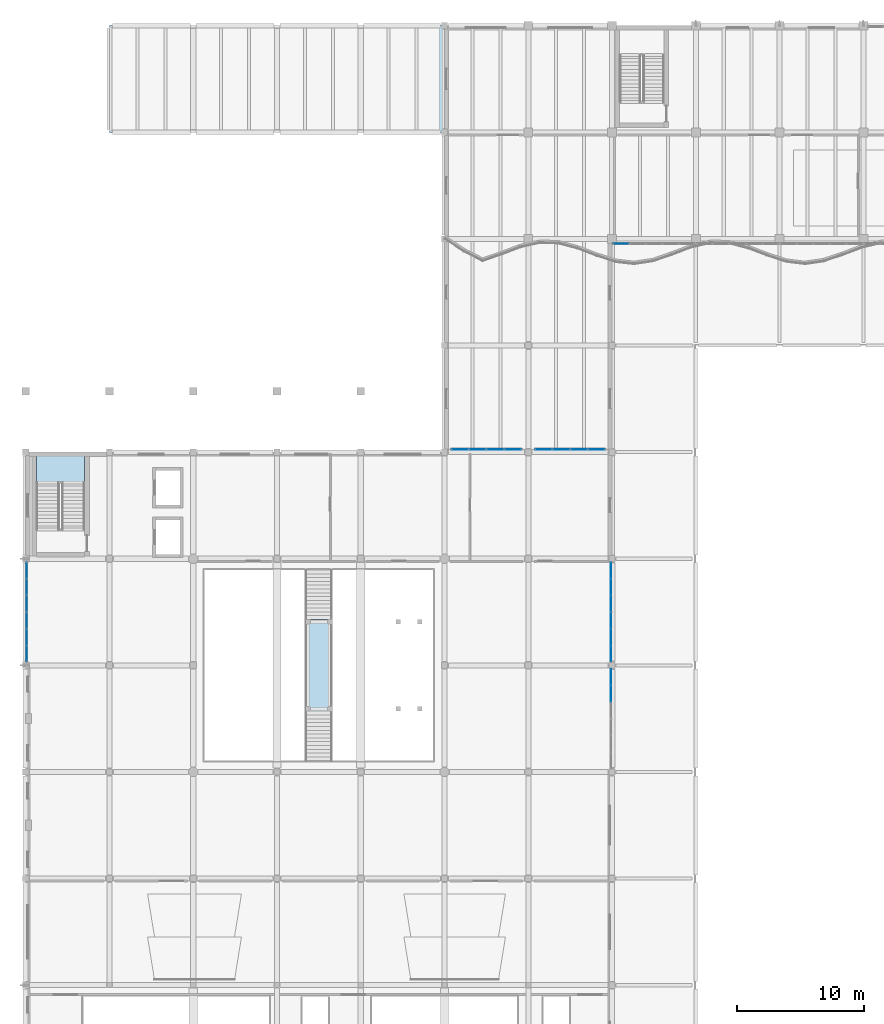
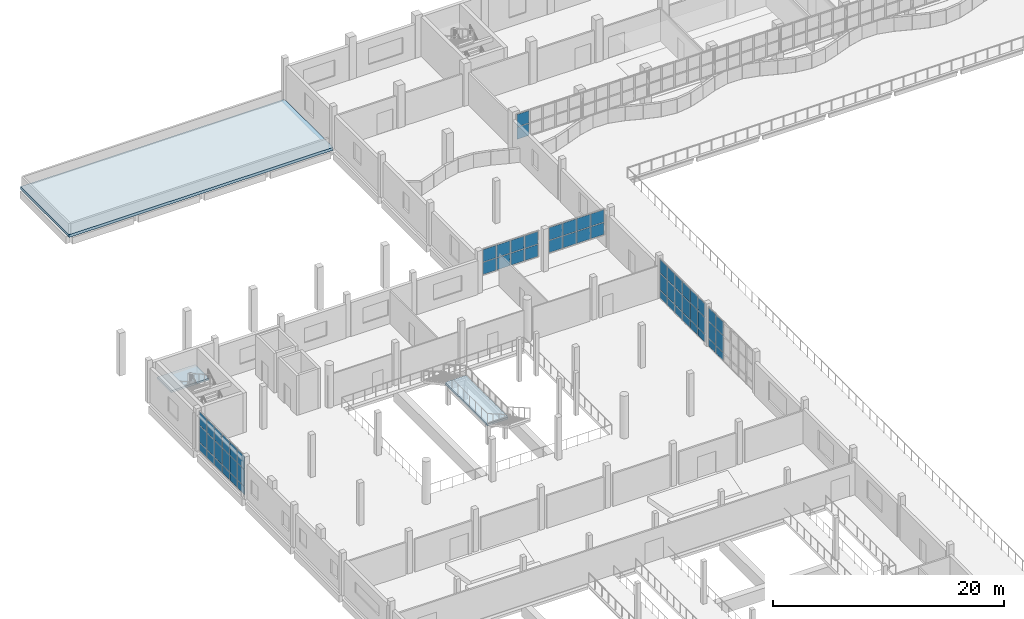
# One storey, part 37 of 83: 60 plates, 3 slabs, 8 elements without a shape of their own.
"""IFC4 building model written with IfcOpenShell, lengths in metres."""

from ifc_helpers import new_model, si_unit, direction, frame, origin, origin_2d, place, context, subcontext, project, spatial, polyline, rectangle, outline, extrude, material, layer, layer_set, type_object, element, aggregate, save


model = new_model("IFC4")

# Units and contexts
model_context = context("Model", 3, precision=1e-05, world=origin(), true_north=direction((0.0, 1.0)))
body_context = subcontext(model_context, "Body", "Model", "MODEL_VIEW")
ifc_project = project(units=[si_unit("LENGTHUNIT", "METRE"), si_unit("AREAUNIT", "SQUARE_METRE"), si_unit("VOLUMEUNIT", "CUBIC_METRE"), si_unit("PLANEANGLEUNIT", "RADIAN"), si_unit("MASSUNIT", "GRAM", prefix="KILO")], contexts=[model_context])

# Site, building, storey
site_placement = place(None, origin())
site = spatial("IfcSite", under=ifc_project, at=site_placement, CompositionType="ELEMENT")
building_placement = place(site_placement, origin())
building = spatial("IfcBuilding", under=site, at=building_placement, Name="Qaldarim Faculty of Natural and Applied Sciences", CompositionType="ELEMENT")
storey_placement = place(building_placement, frame((0.0, 0.0, 5.39990234375)))
storey = spatial("IfcBuildingStorey", under=building, at=storey_placement, Name="L01", CompositionType="ELEMENT", Elevation=5.39990234375)

# Slab
ifc_material_1 = material(Name="Concrete C40/50", Category="concrete")
ifc_layer_1 = layer(ifc_material_1, 0.300048828125)
ifc_layer_set_1 = layer_set([ifc_layer_1], Name="Concrete C40/50")
slab_type_1 = type_object("IfcSlabType", Name="FlatAnnexRoofSlab-300", PredefinedType="ROOF", material=ifc_layer_set_1)
slab_1_placement = place(storey_placement, frame((0.0, 0.0, -0.2998046875)))
element("IfcSlab", 1, at=slab_1_placement, inside=storey, type_object=slab_type_1, Name="Car park ramp annex structural roof slab L01", PredefinedType="ROOF", context=body_context, shape_type="SweptSolid", body=[
    extrude(outline(polyline([(6.60009765625, 109.199951171875), (32.97998046875, 109.199951171875), (32.97998046875, 117.60009765625), (6.60009765625, 117.60009765625), (6.60009765625, 109.199951171875)])), origin(), (0.0, 0.0, 1.0), 0.2998046875),
])

# Stair, slab
stair_type_1 = type_object("IfcStairType", Name="DoglegStair-W1800-H4500-28R", PredefinedType="HALF_TURN_STAIR", material=ifc_material_1)
stair_1_placement = place(storey_placement, origin())
stair_1 = element("IfcStair", 2, at=stair_1_placement, inside=storey, type_object=stair_type_1, Name="Enclosed exit stair ST-D2 L01", PredefinedType="HALF_TURN_STAIR")
ifc_layer_2 = layer(ifc_material_1, 0.2099609375)
ifc_layer_set_2 = layer_set([ifc_layer_2], Name="Concrete C40/50")
slab_type_2 = type_object("IfcSlabType", Name="StairLandingSlab-210", PredefinedType="LANDING", material=ifc_layer_set_2)
slab_2_placement = place(storey_placement, frame((0.0, 0.0, 2.0400390625)))
slab_2 = element("IfcSlab", 3, at=slab_2_placement, type_object=slab_type_2, Name="ST-D2 L01 half-landing 1", PredefinedType="LANDING", context=body_context, shape_type="SweptSolid", body=[
    extrude(outline(polyline([(4.64990234375, 81.590087890625), (4.64990234375, 84.0), (0.85009765625, 84.0), (0.85009765625, 81.590087890625), (4.64990234375, 81.590087890625)])), origin(), (0.0, 0.0, 1.0), 0.2099609375),
])
aggregate(stair_1, [slab_2])

stair_type_2 = type_object("IfcStairType", Name="FeatureStraightStair-W2100-H4500", PredefinedType="STRAIGHT_RUN_STAIR", material=ifc_material_1)
stair_2_placement = place(storey_placement, origin())
stair_2 = element("IfcStair", 4, at=stair_2_placement, inside=storey, type_object=stair_type_2, Name="Atrium monumental stair L01", PredefinedType="STRAIGHT_RUN_STAIR")
slab_3_placement = place(storey_placement, frame((0.0, 0.0, 2.0400390625)))
slab_3 = element("IfcSlab", 5, at=slab_3_placement, type_object=slab_type_2, Name="Atrium monumental stair L01 intermediate landing", PredefinedType="LANDING", context=body_context, shape_type="SweptSolid", body=[
    extrude(outline(polyline([(22.050048828125, 63.570068359375), (24.14990234375, 63.570068359375), (24.14990234375, 70.830078125), (22.050048828125, 70.830078125), (22.050048828125, 63.570068359375)])), origin(), (0.0, 0.0, 1.0), 0.2099609375),
])
aggregate(stair_2, [slab_3])

# Curtain wall, plates
ifc_material_2 = material(Name="Anodised aluminium AW-6063", Category="aluminium")
curtain_wall_type_1 = type_object("IfcCurtainWallType", Name="CurtainWallSystem-M1300", PredefinedType="USERDEFINED", material=ifc_material_2)
curtain_wall_1_placement = place(storey_placement, origin())
curtain_wall_1 = element("IfcCurtainWall", 6, at=curtain_wall_1_placement, inside=storey, type_object=curtain_wall_type_1, Name="Curtain wall CW-L01-W-X01Y09", ObjectType="STICK CURTAIN WALL", PredefinedType="USERDEFINED")
ifc_material_3 = material(Name="Insulated low-e double glazing", Category="glass")
ifc_layer_3 = layer(ifc_material_3, 0.028076171875)
ifc_layer_set_3 = layer_set([ifc_layer_3], Name="Insulated low-e double glazing")
plate_type = type_object("IfcPlateType", Name="VisionGlazingPanel-28", PredefinedType="CURTAIN_PANEL", material=ifc_layer_set_3)
plate_1_placement = place(storey_placement, frame((0.080078125, 74.680908203125, 0.06005859375), z_axis=(0.0, 0.0, 1.0), x_axis=(0.0, -1.0, 0.0)))
plate_1 = element("IfcPlate", 7, at=plate_1_placement, type_object=plate_type, Name="Glazed panel 1-1 of CW-L01-W-X01Y09", PredefinedType="CURTAIN_PANEL", context=body_context, shape_type="SweptSolid", body=[
    extrude(rectangle(XDim=1.228271484375, YDim=0.028076171875, at=origin_2d()), origin(), (0.0, 0.0, 1.0), 0.81005859375),
])
plate_2_placement = place(storey_placement, frame((0.080078125, 74.680908203125, 0.93017578125), z_axis=(0.0, 0.0, 1.0), x_axis=(0.0, -1.0, 0.0)))
plate_2 = element("IfcPlate", 8, at=plate_2_placement, type_object=plate_type, Name="Glazed panel 1-2 of CW-L01-W-X01Y09", PredefinedType="CURTAIN_PANEL", context=body_context, shape_type="SweptSolid", body=[
    extrude(rectangle(XDim=1.228271484375, YDim=0.028076171875, at=origin_2d()), origin(), (0.0, 0.0, 1.0), 1.739990234375),
])
plate_3_placement = place(storey_placement, frame((0.080078125, 74.680908203125, 2.72998046875), z_axis=(0.0, 0.0, 1.0), x_axis=(0.0, -1.0, 0.0)))
plate_3 = element("IfcPlate", 9, at=plate_3_placement, type_object=plate_type, Name="Glazed panel 1-3 of CW-L01-W-X01Y09", PredefinedType="CURTAIN_PANEL", context=body_context, shape_type="SweptSolid", body=[
    extrude(rectangle(XDim=1.228271484375, YDim=0.028076171875, at=origin_2d()), origin(), (0.0, 0.0, 1.0), 1.409912109375),
])
plate_4_placement = place(storey_placement, frame((0.080078125, 73.37744140625, 0.06005859375), z_axis=(0.0, 0.0, 1.0), x_axis=(0.0, -1.0, 0.0)))
plate_4 = element("IfcPlate", 10, at=plate_4_placement, type_object=plate_type, Name="Glazed panel 2-1 of CW-L01-W-X01Y09", PredefinedType="CURTAIN_PANEL", context=body_context, shape_type="SweptSolid", body=[
    extrude(rectangle(XDim=1.25830078125, YDim=0.028076171875, at=origin_2d()), origin(), (0.0, 0.0, 1.0), 0.81005859375),
])
plate_5_placement = place(storey_placement, frame((0.080078125, 73.37744140625, 0.93017578125), z_axis=(0.0, 0.0, 1.0), x_axis=(0.0, -1.0, 0.0)))
plate_5 = element("IfcPlate", 11, at=plate_5_placement, type_object=plate_type, Name="Glazed panel 2-2 of CW-L01-W-X01Y09", PredefinedType="CURTAIN_PANEL", context=body_context, shape_type="SweptSolid", body=[
    extrude(rectangle(XDim=1.25830078125, YDim=0.028076171875, at=origin_2d()), origin(), (0.0, 0.0, 1.0), 1.739990234375),
])
plate_6_placement = place(storey_placement, frame((0.080078125, 73.37744140625, 2.72998046875), z_axis=(0.0, 0.0, 1.0), x_axis=(0.0, -1.0, 0.0)))
plate_6 = element("IfcPlate", 12, at=plate_6_placement, type_object=plate_type, Name="Glazed panel 2-3 of CW-L01-W-X01Y09", PredefinedType="CURTAIN_PANEL", context=body_context, shape_type="SweptSolid", body=[
    extrude(rectangle(XDim=1.25830078125, YDim=0.028076171875, at=origin_2d()), origin(), (0.0, 0.0, 1.0), 1.409912109375),
])
plate_7_placement = place(storey_placement, frame((0.080078125, 72.05908203125, 0.06005859375), z_axis=(0.0, 0.0, 1.0), x_axis=(0.0, -1.0, 0.0)))
plate_7 = element("IfcPlate", 13, at=plate_7_placement, type_object=plate_type, Name="Glazed panel 3-1 of CW-L01-W-X01Y09", PredefinedType="CURTAIN_PANEL", context=body_context, shape_type="SweptSolid", body=[
    extrude(rectangle(XDim=1.25830078125, YDim=0.028076171875, at=origin_2d()), origin(), (0.0, 0.0, 1.0), 0.81005859375),
])
plate_8_placement = place(storey_placement, frame((0.080078125, 72.05908203125, 0.93017578125), z_axis=(0.0, 0.0, 1.0), x_axis=(0.0, -1.0, 0.0)))
plate_8 = element("IfcPlate", 14, at=plate_8_placement, type_object=plate_type, Name="Glazed panel 3-2 of CW-L01-W-X01Y09", PredefinedType="CURTAIN_PANEL", context=body_context, shape_type="SweptSolid", body=[
    extrude(rectangle(XDim=1.25830078125, YDim=0.028076171875, at=origin_2d()), origin(), (0.0, 0.0, 1.0), 1.739990234375),
])
plate_9_placement = place(storey_placement, frame((0.080078125, 72.05908203125, 2.72998046875), z_axis=(0.0, 0.0, 1.0), x_axis=(0.0, -1.0, 0.0)))
plate_9 = element("IfcPlate", 15, at=plate_9_placement, type_object=plate_type, Name="Glazed panel 3-3 of CW-L01-W-X01Y09", PredefinedType="CURTAIN_PANEL", context=body_context, shape_type="SweptSolid", body=[
    extrude(rectangle(XDim=1.25830078125, YDim=0.028076171875, at=origin_2d()), origin(), (0.0, 0.0, 1.0), 1.409912109375),
])
plate_10_placement = place(storey_placement, frame((0.080078125, 70.74072265625, 0.06005859375), z_axis=(0.0, 0.0, 1.0), x_axis=(0.0, -1.0, 0.0)))
plate_10 = element("IfcPlate", 16, at=plate_10_placement, type_object=plate_type, Name="Glazed panel 4-1 of CW-L01-W-X01Y09", PredefinedType="CURTAIN_PANEL", context=body_context, shape_type="SweptSolid", body=[
    extrude(rectangle(XDim=1.25830078125, YDim=0.028076171875, at=origin_2d()), origin(), (0.0, 0.0, 1.0), 0.81005859375),
])
plate_11_placement = place(storey_placement, frame((0.080078125, 70.74072265625, 0.93017578125), z_axis=(0.0, 0.0, 1.0), x_axis=(0.0, -1.0, 0.0)))
plate_11 = element("IfcPlate", 17, at=plate_11_placement, type_object=plate_type, Name="Glazed panel 4-2 of CW-L01-W-X01Y09", PredefinedType="CURTAIN_PANEL", context=body_context, shape_type="SweptSolid", body=[
    extrude(rectangle(XDim=1.25830078125, YDim=0.028076171875, at=origin_2d()), origin(), (0.0, 0.0, 1.0), 1.739990234375),
])
plate_12_placement = place(storey_placement, frame((0.080078125, 70.74072265625, 2.72998046875), z_axis=(0.0, 0.0, 1.0), x_axis=(0.0, -1.0, 0.0)))
plate_12 = element("IfcPlate", 18, at=plate_12_placement, type_object=plate_type, Name="Glazed panel 4-3 of CW-L01-W-X01Y09", PredefinedType="CURTAIN_PANEL", context=body_context, shape_type="SweptSolid", body=[
    extrude(rectangle(XDim=1.25830078125, YDim=0.028076171875, at=origin_2d()), origin(), (0.0, 0.0, 1.0), 1.409912109375),
])
plate_13_placement = place(storey_placement, frame((0.080078125, 69.422607421875, 0.06005859375), z_axis=(0.0, 0.0, 1.0), x_axis=(0.0, -1.0, 0.0)))
plate_13 = element("IfcPlate", 19, at=plate_13_placement, type_object=plate_type, Name="Glazed panel 5-1 of CW-L01-W-X01Y09", PredefinedType="CURTAIN_PANEL", context=body_context, shape_type="SweptSolid", body=[
    extrude(rectangle(XDim=1.25830078125, YDim=0.028076171875, at=origin_2d()), origin(), (0.0, 0.0, 1.0), 0.81005859375),
])
plate_14_placement = place(storey_placement, frame((0.080078125, 69.422607421875, 0.93017578125), z_axis=(0.0, 0.0, 1.0), x_axis=(0.0, -1.0, 0.0)))
plate_14 = element("IfcPlate", 20, at=plate_14_placement, type_object=plate_type, Name="Glazed panel 5-2 of CW-L01-W-X01Y09", PredefinedType="CURTAIN_PANEL", context=body_context, shape_type="SweptSolid", body=[
    extrude(rectangle(XDim=1.25830078125, YDim=0.028076171875, at=origin_2d()), origin(), (0.0, 0.0, 1.0), 1.739990234375),
])
plate_15_placement = place(storey_placement, frame((0.080078125, 69.422607421875, 2.72998046875), z_axis=(0.0, 0.0, 1.0), x_axis=(0.0, -1.0, 0.0)))
plate_15 = element("IfcPlate", 21, at=plate_15_placement, type_object=plate_type, Name="Glazed panel 5-3 of CW-L01-W-X01Y09", PredefinedType="CURTAIN_PANEL", context=body_context, shape_type="SweptSolid", body=[
    extrude(rectangle(XDim=1.25830078125, YDim=0.028076171875, at=origin_2d()), origin(), (0.0, 0.0, 1.0), 1.409912109375),
])
plate_16_placement = place(storey_placement, frame((0.080078125, 68.119140625, 0.06005859375), z_axis=(0.0, 0.0, 1.0), x_axis=(0.0, -1.0, 0.0)))
plate_16 = element("IfcPlate", 22, at=plate_16_placement, type_object=plate_type, Name="Glazed panel 6-1 of CW-L01-W-X01Y09", PredefinedType="CURTAIN_PANEL", context=body_context, shape_type="SweptSolid", body=[
    extrude(rectangle(XDim=1.228271484375, YDim=0.028076171875, at=origin_2d()), origin(), (0.0, 0.0, 1.0), 0.81005859375),
])
plate_17_placement = place(storey_placement, frame((0.080078125, 68.119140625, 0.93017578125), z_axis=(0.0, 0.0, 1.0), x_axis=(0.0, -1.0, 0.0)))
plate_17 = element("IfcPlate", 23, at=plate_17_placement, type_object=plate_type, Name="Glazed panel 6-2 of CW-L01-W-X01Y09", PredefinedType="CURTAIN_PANEL", context=body_context, shape_type="SweptSolid", body=[
    extrude(rectangle(XDim=1.228271484375, YDim=0.028076171875, at=origin_2d()), origin(), (0.0, 0.0, 1.0), 1.739990234375),
])
plate_18_placement = place(storey_placement, frame((0.080078125, 68.119140625, 2.72998046875), z_axis=(0.0, 0.0, 1.0), x_axis=(0.0, -1.0, 0.0)))
plate_18 = element("IfcPlate", 24, at=plate_18_placement, type_object=plate_type, Name="Glazed panel 6-3 of CW-L01-W-X01Y09", PredefinedType="CURTAIN_PANEL", context=body_context, shape_type="SweptSolid", body=[
    extrude(rectangle(XDim=1.228271484375, YDim=0.028076171875, at=origin_2d()), origin(), (0.0, 0.0, 1.0), 1.409912109375),
])
aggregate(curtain_wall_1, [plate_1, plate_2, plate_3, plate_4, plate_5, plate_6, plate_7, plate_8, plate_9, plate_10, plate_11, plate_12, plate_13, plate_14, plate_15, plate_16, plate_17, plate_18])

curtain_wall_2_placement = place(storey_placement, origin())
curtain_wall_2 = element("IfcCurtainWall", 25, at=curtain_wall_2_placement, inside=storey, type_object=curtain_wall_type_1, Name="Curtain wall CW-L01-E-X07Y08", ObjectType="STICK CURTAIN WALL", PredefinedType="USERDEFINED")
plate_19_placement = place(storey_placement, frame((46.1201171875, 64.9775390625, 0.06005859375), z_axis=(0.0, 0.0, 1.0), x_axis=(0.0, 1.0, 0.0)))
plate_19 = element("IfcPlate", 26, at=plate_19_placement, type_object=plate_type, Name="Glazed panel 5-1 of CW-L01-E-X07Y08", PredefinedType="CURTAIN_PANEL", context=body_context, shape_type="SweptSolid", body=[
    extrude(rectangle(XDim=1.25830078125, YDim=0.028076171875, at=origin_2d()), origin(), (0.0, 0.0, 1.0), 0.81005859375),
])
plate_20_placement = place(storey_placement, frame((46.1201171875, 64.9775390625, 0.93017578125), z_axis=(0.0, 0.0, 1.0), x_axis=(0.0, 1.0, 0.0)))
plate_20 = element("IfcPlate", 27, at=plate_20_placement, type_object=plate_type, Name="Glazed panel 5-2 of CW-L01-E-X07Y08", PredefinedType="CURTAIN_PANEL", context=body_context, shape_type="SweptSolid", body=[
    extrude(rectangle(XDim=1.25830078125, YDim=0.028076171875, at=origin_2d()), origin(), (0.0, 0.0, 1.0), 1.739990234375),
])
plate_21_placement = place(storey_placement, frame((46.1201171875, 64.9775390625, 2.72998046875), z_axis=(0.0, 0.0, 1.0), x_axis=(0.0, 1.0, 0.0)))
plate_21 = element("IfcPlate", 28, at=plate_21_placement, type_object=plate_type, Name="Glazed panel 5-3 of CW-L01-E-X07Y08", PredefinedType="CURTAIN_PANEL", context=body_context, shape_type="SweptSolid", body=[
    extrude(rectangle(XDim=1.25830078125, YDim=0.028076171875, at=origin_2d()), origin(), (0.0, 0.0, 1.0), 1.409912109375),
])
plate_22_placement = place(storey_placement, frame((46.1201171875, 66.28076171875, 0.06005859375), z_axis=(0.0, 0.0, 1.0), x_axis=(0.0, 1.0, 0.0)))
plate_22 = element("IfcPlate", 29, at=plate_22_placement, type_object=plate_type, Name="Glazed panel 6-1 of CW-L01-E-X07Y08", PredefinedType="CURTAIN_PANEL", context=body_context, shape_type="SweptSolid", body=[
    extrude(rectangle(XDim=1.228271484375, YDim=0.028076171875, at=origin_2d()), origin(), (0.0, 0.0, 1.0), 0.81005859375),
])
plate_23_placement = place(storey_placement, frame((46.1201171875, 66.28076171875, 0.93017578125), z_axis=(0.0, 0.0, 1.0), x_axis=(0.0, 1.0, 0.0)))
plate_23 = element("IfcPlate", 30, at=plate_23_placement, type_object=plate_type, Name="Glazed panel 6-2 of CW-L01-E-X07Y08", PredefinedType="CURTAIN_PANEL", context=body_context, shape_type="SweptSolid", body=[
    extrude(rectangle(XDim=1.228271484375, YDim=0.028076171875, at=origin_2d()), origin(), (0.0, 0.0, 1.0), 1.739990234375),
])
plate_24_placement = place(storey_placement, frame((46.1201171875, 66.28076171875, 2.72998046875), z_axis=(0.0, 0.0, 1.0), x_axis=(0.0, 1.0, 0.0)))
plate_24 = element("IfcPlate", 31, at=plate_24_placement, type_object=plate_type, Name="Glazed panel 6-3 of CW-L01-E-X07Y08", PredefinedType="CURTAIN_PANEL", context=body_context, shape_type="SweptSolid", body=[
    extrude(rectangle(XDim=1.228271484375, YDim=0.028076171875, at=origin_2d()), origin(), (0.0, 0.0, 1.0), 1.409912109375),
])
aggregate(curtain_wall_2, [plate_19, plate_20, plate_21, plate_22, plate_23, plate_24])

curtain_wall_3_placement = place(storey_placement, origin())
curtain_wall_3 = element("IfcCurtainWall", 32, at=curtain_wall_3_placement, inside=storey, type_object=curtain_wall_type_1, Name="Curtain wall CW-L01-E-X07Y09", ObjectType="STICK CURTAIN WALL", PredefinedType="USERDEFINED")
plate_25_placement = place(storey_placement, frame((46.1201171875, 68.119140625, 0.06005859375), z_axis=(0.0, 0.0, 1.0), x_axis=(0.0, 1.0, 0.0)))
plate_25 = element("IfcPlate", 33, at=plate_25_placement, type_object=plate_type, Name="Glazed panel 1-1 of CW-L01-E-X07Y09", PredefinedType="CURTAIN_PANEL", context=body_context, shape_type="SweptSolid", body=[
    extrude(rectangle(XDim=1.228271484375, YDim=0.028076171875, at=origin_2d()), origin(), (0.0, 0.0, 1.0), 0.81005859375),
])
plate_26_placement = place(storey_placement, frame((46.1201171875, 68.119140625, 0.93017578125), z_axis=(0.0, 0.0, 1.0), x_axis=(0.0, 1.0, 0.0)))
plate_26 = element("IfcPlate", 34, at=plate_26_placement, type_object=plate_type, Name="Glazed panel 1-2 of CW-L01-E-X07Y09", PredefinedType="CURTAIN_PANEL", context=body_context, shape_type="SweptSolid", body=[
    extrude(rectangle(XDim=1.228271484375, YDim=0.028076171875, at=origin_2d()), origin(), (0.0, 0.0, 1.0), 1.739990234375),
])
plate_27_placement = place(storey_placement, frame((46.1201171875, 68.119140625, 2.72998046875), z_axis=(0.0, 0.0, 1.0), x_axis=(0.0, 1.0, 0.0)))
plate_27 = element("IfcPlate", 35, at=plate_27_placement, type_object=plate_type, Name="Glazed panel 1-3 of CW-L01-E-X07Y09", PredefinedType="CURTAIN_PANEL", context=body_context, shape_type="SweptSolid", body=[
    extrude(rectangle(XDim=1.228271484375, YDim=0.028076171875, at=origin_2d()), origin(), (0.0, 0.0, 1.0), 1.409912109375),
])
plate_28_placement = place(storey_placement, frame((46.1201171875, 69.422607421875, 0.06005859375), z_axis=(0.0, 0.0, 1.0), x_axis=(0.0, 1.0, 0.0)))
plate_28 = element("IfcPlate", 36, at=plate_28_placement, type_object=plate_type, Name="Glazed panel 2-1 of CW-L01-E-X07Y09", PredefinedType="CURTAIN_PANEL", context=body_context, shape_type="SweptSolid", body=[
    extrude(rectangle(XDim=1.25830078125, YDim=0.028076171875, at=origin_2d()), origin(), (0.0, 0.0, 1.0), 0.81005859375),
])
plate_29_placement = place(storey_placement, frame((46.1201171875, 69.422607421875, 0.93017578125), z_axis=(0.0, 0.0, 1.0), x_axis=(0.0, 1.0, 0.0)))
plate_29 = element("IfcPlate", 37, at=plate_29_placement, type_object=plate_type, Name="Glazed panel 2-2 of CW-L01-E-X07Y09", PredefinedType="CURTAIN_PANEL", context=body_context, shape_type="SweptSolid", body=[
    extrude(rectangle(XDim=1.25830078125, YDim=0.028076171875, at=origin_2d()), origin(), (0.0, 0.0, 1.0), 1.739990234375),
])
plate_30_placement = place(storey_placement, frame((46.1201171875, 69.422607421875, 2.72998046875), z_axis=(0.0, 0.0, 1.0), x_axis=(0.0, 1.0, 0.0)))
plate_30 = element("IfcPlate", 38, at=plate_30_placement, type_object=plate_type, Name="Glazed panel 2-3 of CW-L01-E-X07Y09", PredefinedType="CURTAIN_PANEL", context=body_context, shape_type="SweptSolid", body=[
    extrude(rectangle(XDim=1.25830078125, YDim=0.028076171875, at=origin_2d()), origin(), (0.0, 0.0, 1.0), 1.409912109375),
])
plate_31_placement = place(storey_placement, frame((46.1201171875, 70.74072265625, 0.06005859375), z_axis=(0.0, 0.0, 1.0), x_axis=(0.0, 1.0, 0.0)))
plate_31 = element("IfcPlate", 39, at=plate_31_placement, type_object=plate_type, Name="Glazed panel 3-1 of CW-L01-E-X07Y09", PredefinedType="CURTAIN_PANEL", context=body_context, shape_type="SweptSolid", body=[
    extrude(rectangle(XDim=1.25830078125, YDim=0.028076171875, at=origin_2d()), origin(), (0.0, 0.0, 1.0), 0.81005859375),
])
plate_32_placement = place(storey_placement, frame((46.1201171875, 70.74072265625, 0.93017578125), z_axis=(0.0, 0.0, 1.0), x_axis=(0.0, 1.0, 0.0)))
plate_32 = element("IfcPlate", 40, at=plate_32_placement, type_object=plate_type, Name="Glazed panel 3-2 of CW-L01-E-X07Y09", PredefinedType="CURTAIN_PANEL", context=body_context, shape_type="SweptSolid", body=[
    extrude(rectangle(XDim=1.25830078125, YDim=0.028076171875, at=origin_2d()), origin(), (0.0, 0.0, 1.0), 1.739990234375),
])
plate_33_placement = place(storey_placement, frame((46.1201171875, 70.74072265625, 2.72998046875), z_axis=(0.0, 0.0, 1.0), x_axis=(0.0, 1.0, 0.0)))
plate_33 = element("IfcPlate", 41, at=plate_33_placement, type_object=plate_type, Name="Glazed panel 3-3 of CW-L01-E-X07Y09", PredefinedType="CURTAIN_PANEL", context=body_context, shape_type="SweptSolid", body=[
    extrude(rectangle(XDim=1.25830078125, YDim=0.028076171875, at=origin_2d()), origin(), (0.0, 0.0, 1.0), 1.409912109375),
])
plate_34_placement = place(storey_placement, frame((46.1201171875, 72.05908203125, 0.06005859375), z_axis=(0.0, 0.0, 1.0), x_axis=(0.0, 1.0, 0.0)))
plate_34 = element("IfcPlate", 42, at=plate_34_placement, type_object=plate_type, Name="Glazed panel 4-1 of CW-L01-E-X07Y09", PredefinedType="CURTAIN_PANEL", context=body_context, shape_type="SweptSolid", body=[
    extrude(rectangle(XDim=1.25830078125, YDim=0.028076171875, at=origin_2d()), origin(), (0.0, 0.0, 1.0), 0.81005859375),
])
plate_35_placement = place(storey_placement, frame((46.1201171875, 72.05908203125, 0.93017578125), z_axis=(0.0, 0.0, 1.0), x_axis=(0.0, 1.0, 0.0)))
plate_35 = element("IfcPlate", 43, at=plate_35_placement, type_object=plate_type, Name="Glazed panel 4-2 of CW-L01-E-X07Y09", PredefinedType="CURTAIN_PANEL", context=body_context, shape_type="SweptSolid", body=[
    extrude(rectangle(XDim=1.25830078125, YDim=0.028076171875, at=origin_2d()), origin(), (0.0, 0.0, 1.0), 1.739990234375),
])
plate_36_placement = place(storey_placement, frame((46.1201171875, 72.05908203125, 2.72998046875), z_axis=(0.0, 0.0, 1.0), x_axis=(0.0, 1.0, 0.0)))
plate_36 = element("IfcPlate", 44, at=plate_36_placement, type_object=plate_type, Name="Glazed panel 4-3 of CW-L01-E-X07Y09", PredefinedType="CURTAIN_PANEL", context=body_context, shape_type="SweptSolid", body=[
    extrude(rectangle(XDim=1.25830078125, YDim=0.028076171875, at=origin_2d()), origin(), (0.0, 0.0, 1.0), 1.409912109375),
])
plate_37_placement = place(storey_placement, frame((46.1201171875, 73.37744140625, 0.06005859375), z_axis=(0.0, 0.0, 1.0), x_axis=(0.0, 1.0, 0.0)))
plate_37 = element("IfcPlate", 45, at=plate_37_placement, type_object=plate_type, Name="Glazed panel 5-1 of CW-L01-E-X07Y09", PredefinedType="CURTAIN_PANEL", context=body_context, shape_type="SweptSolid", body=[
    extrude(rectangle(XDim=1.25830078125, YDim=0.028076171875, at=origin_2d()), origin(), (0.0, 0.0, 1.0), 0.81005859375),
])
plate_38_placement = place(storey_placement, frame((46.1201171875, 73.37744140625, 0.93017578125), z_axis=(0.0, 0.0, 1.0), x_axis=(0.0, 1.0, 0.0)))
plate_38 = element("IfcPlate", 46, at=plate_38_placement, type_object=plate_type, Name="Glazed panel 5-2 of CW-L01-E-X07Y09", PredefinedType="CURTAIN_PANEL", context=body_context, shape_type="SweptSolid", body=[
    extrude(rectangle(XDim=1.25830078125, YDim=0.028076171875, at=origin_2d()), origin(), (0.0, 0.0, 1.0), 1.739990234375),
])
plate_39_placement = place(storey_placement, frame((46.1201171875, 73.37744140625, 2.72998046875), z_axis=(0.0, 0.0, 1.0), x_axis=(0.0, 1.0, 0.0)))
plate_39 = element("IfcPlate", 47, at=plate_39_placement, type_object=plate_type, Name="Glazed panel 5-3 of CW-L01-E-X07Y09", PredefinedType="CURTAIN_PANEL", context=body_context, shape_type="SweptSolid", body=[
    extrude(rectangle(XDim=1.25830078125, YDim=0.028076171875, at=origin_2d()), origin(), (0.0, 0.0, 1.0), 1.409912109375),
])
plate_40_placement = place(storey_placement, frame((46.1201171875, 74.680908203125, 0.06005859375), z_axis=(0.0, 0.0, 1.0), x_axis=(0.0, 1.0, 0.0)))
plate_40 = element("IfcPlate", 48, at=plate_40_placement, type_object=plate_type, Name="Glazed panel 6-1 of CW-L01-E-X07Y09", PredefinedType="CURTAIN_PANEL", context=body_context, shape_type="SweptSolid", body=[
    extrude(rectangle(XDim=1.228271484375, YDim=0.028076171875, at=origin_2d()), origin(), (0.0, 0.0, 1.0), 0.81005859375),
])
plate_41_placement = place(storey_placement, frame((46.1201171875, 74.680908203125, 0.93017578125), z_axis=(0.0, 0.0, 1.0), x_axis=(0.0, 1.0, 0.0)))
plate_41 = element("IfcPlate", 49, at=plate_41_placement, type_object=plate_type, Name="Glazed panel 6-2 of CW-L01-E-X07Y09", PredefinedType="CURTAIN_PANEL", context=body_context, shape_type="SweptSolid", body=[
    extrude(rectangle(XDim=1.228271484375, YDim=0.028076171875, at=origin_2d()), origin(), (0.0, 0.0, 1.0), 1.739990234375),
])
plate_42_placement = place(storey_placement, frame((46.1201171875, 74.680908203125, 2.72998046875), z_axis=(0.0, 0.0, 1.0), x_axis=(0.0, 1.0, 0.0)))
plate_42 = element("IfcPlate", 50, at=plate_42_placement, type_object=plate_type, Name="Glazed panel 6-3 of CW-L01-E-X07Y09", PredefinedType="CURTAIN_PANEL", context=body_context, shape_type="SweptSolid", body=[
    extrude(rectangle(XDim=1.228271484375, YDim=0.028076171875, at=origin_2d()), origin(), (0.0, 0.0, 1.0), 1.409912109375),
])
aggregate(curtain_wall_3, [plate_25, plate_26, plate_27, plate_28, plate_29, plate_30, plate_31, plate_32, plate_33, plate_34, plate_35, plate_36, plate_37, plate_38, plate_39, plate_40, plate_41, plate_42])

curtain_wall_type_2 = type_object("IfcCurtainWallType", Name="CurtainWallSystem-M1400", PredefinedType="USERDEFINED", material=ifc_material_2)
curtain_wall_4_placement = place(storey_placement, origin())
curtain_wall_4 = element("IfcCurtainWall", 51, at=curtain_wall_4_placement, inside=storey, type_object=curtain_wall_type_2, Name="Curtain wall CW-V4RIB-L01-X06", ObjectType="STICK CURTAIN WALL", PredefinedType="USERDEFINED")
plate_43_placement = place(storey_placement, frame((34.215087890625, 84.219970703125, 1.51025390625), z_axis=(0.0, 0.0, 1.0), x_axis=(1.0, 0.0, 0.0)))
plate_43 = element("IfcPlate", 52, at=plate_43_placement, type_object=plate_type, Name="Glazed panel 1-1 of CW-V4RIB-L01-X06", PredefinedType="CURTAIN_PANEL", context=body_context, shape_type="SweptSolid", body=[
    extrude(rectangle(XDim=1.31005859375, YDim=0.028076171875, at=origin_2d()), origin(), (0.0, 0.0, 1.0), 1.260009765625),
])
plate_44_placement = place(storey_placement, frame((34.215087890625, 84.219970703125, 2.830078125), z_axis=(0.0, 0.0, 1.0), x_axis=(1.0, 0.0, 0.0)))
plate_44 = element("IfcPlate", 53, at=plate_44_placement, type_object=plate_type, Name="Glazed panel 1-2 of CW-V4RIB-L01-X06", PredefinedType="CURTAIN_PANEL", context=body_context, shape_type="SweptSolid", body=[
    extrude(rectangle(XDim=1.31005859375, YDim=0.028076171875, at=origin_2d()), origin(), (0.0, 0.0, 1.0), 1.31005859375),
])
plate_45_placement = place(storey_placement, frame((35.60009765625, 84.219970703125, 1.51025390625), z_axis=(0.0, 0.0, 1.0), x_axis=(1.0, 0.0, 0.0)))
plate_45 = element("IfcPlate", 54, at=plate_45_placement, type_object=plate_type, Name="Glazed panel 2-1 of CW-V4RIB-L01-X06", PredefinedType="CURTAIN_PANEL", context=body_context, shape_type="SweptSolid", body=[
    extrude(rectangle(XDim=1.340087890625, YDim=0.028076171875, at=origin_2d()), origin(), (0.0, 0.0, 1.0), 1.260009765625),
])
plate_46_placement = place(storey_placement, frame((35.60009765625, 84.219970703125, 2.830078125), z_axis=(0.0, 0.0, 1.0), x_axis=(1.0, 0.0, 0.0)))
plate_46 = element("IfcPlate", 55, at=plate_46_placement, type_object=plate_type, Name="Glazed panel 2-2 of CW-V4RIB-L01-X06", PredefinedType="CURTAIN_PANEL", context=body_context, shape_type="SweptSolid", body=[
    extrude(rectangle(XDim=1.340087890625, YDim=0.028076171875, at=origin_2d()), origin(), (0.0, 0.0, 1.0), 1.31005859375),
])
plate_47_placement = place(storey_placement, frame((37.0, 84.219970703125, 1.51025390625), z_axis=(0.0, 0.0, 1.0), x_axis=(1.0, 0.0, 0.0)))
plate_47 = element("IfcPlate", 56, at=plate_47_placement, type_object=plate_type, Name="Glazed panel 3-1 of CW-V4RIB-L01-X06", PredefinedType="CURTAIN_PANEL", context=body_context, shape_type="SweptSolid", body=[
    extrude(rectangle(XDim=1.340087890625, YDim=0.028076171875, at=origin_2d()), origin(), (0.0, 0.0, 1.0), 1.260009765625),
])
plate_48_placement = place(storey_placement, frame((37.0, 84.219970703125, 2.830078125), z_axis=(0.0, 0.0, 1.0), x_axis=(1.0, 0.0, 0.0)))
plate_48 = element("IfcPlate", 57, at=plate_48_placement, type_object=plate_type, Name="Glazed panel 3-2 of CW-V4RIB-L01-X06", PredefinedType="CURTAIN_PANEL", context=body_context, shape_type="SweptSolid", body=[
    extrude(rectangle(XDim=1.340087890625, YDim=0.028076171875, at=origin_2d()), origin(), (0.0, 0.0, 1.0), 1.31005859375),
])
plate_49_placement = place(storey_placement, frame((38.385009765625, 84.219970703125, 1.51025390625), z_axis=(0.0, 0.0, 1.0), x_axis=(1.0, 0.0, 0.0)))
plate_49 = element("IfcPlate", 58, at=plate_49_placement, type_object=plate_type, Name="Glazed panel 4-1 of CW-V4RIB-L01-X06", PredefinedType="CURTAIN_PANEL", context=body_context, shape_type="SweptSolid", body=[
    extrude(rectangle(XDim=1.31005859375, YDim=0.028076171875, at=origin_2d()), origin(), (0.0, 0.0, 1.0), 1.260009765625),
])
plate_50_placement = place(storey_placement, frame((38.385009765625, 84.219970703125, 2.830078125), z_axis=(0.0, 0.0, 1.0), x_axis=(1.0, 0.0, 0.0)))
plate_50 = element("IfcPlate", 59, at=plate_50_placement, type_object=plate_type, Name="Glazed panel 4-2 of CW-V4RIB-L01-X06", PredefinedType="CURTAIN_PANEL", context=body_context, shape_type="SweptSolid", body=[
    extrude(rectangle(XDim=1.31005859375, YDim=0.028076171875, at=origin_2d()), origin(), (0.0, 0.0, 1.0), 1.31005859375),
])
aggregate(curtain_wall_4, [plate_43, plate_44, plate_45, plate_46, plate_47, plate_48, plate_49, plate_50])

curtain_wall_5_placement = place(storey_placement, origin())
curtain_wall_5 = element("IfcCurtainWall", 60, at=curtain_wall_5_placement, inside=storey, type_object=curtain_wall_type_2, Name="Curtain wall CW-V4RIB-L01-X07", ObjectType="STICK CURTAIN WALL", PredefinedType="USERDEFINED")
plate_51_placement = place(storey_placement, frame((40.81494140625, 84.219970703125, 1.51025390625), z_axis=(0.0, 0.0, 1.0), x_axis=(1.0, 0.0, 0.0)))
plate_51 = element("IfcPlate", 61, at=plate_51_placement, type_object=plate_type, Name="Glazed panel 1-1 of CW-V4RIB-L01-X07", PredefinedType="CURTAIN_PANEL", context=body_context, shape_type="SweptSolid", body=[
    extrude(rectangle(XDim=1.31005859375, YDim=0.028076171875, at=origin_2d()), origin(), (0.0, 0.0, 1.0), 1.260009765625),
])
plate_52_placement = place(storey_placement, frame((40.81494140625, 84.219970703125, 2.830078125), z_axis=(0.0, 0.0, 1.0), x_axis=(1.0, 0.0, 0.0)))
plate_52 = element("IfcPlate", 62, at=plate_52_placement, type_object=plate_type, Name="Glazed panel 1-2 of CW-V4RIB-L01-X07", PredefinedType="CURTAIN_PANEL", context=body_context, shape_type="SweptSolid", body=[
    extrude(rectangle(XDim=1.31005859375, YDim=0.028076171875, at=origin_2d()), origin(), (0.0, 0.0, 1.0), 1.31005859375),
])
plate_53_placement = place(storey_placement, frame((42.199951171875, 84.219970703125, 1.51025390625), z_axis=(0.0, 0.0, 1.0), x_axis=(1.0, 0.0, 0.0)))
plate_53 = element("IfcPlate", 63, at=plate_53_placement, type_object=plate_type, Name="Glazed panel 2-1 of CW-V4RIB-L01-X07", PredefinedType="CURTAIN_PANEL", context=body_context, shape_type="SweptSolid", body=[
    extrude(rectangle(XDim=1.340087890625, YDim=0.028076171875, at=origin_2d()), origin(), (0.0, 0.0, 1.0), 1.260009765625),
])
plate_54_placement = place(storey_placement, frame((42.199951171875, 84.219970703125, 2.830078125), z_axis=(0.0, 0.0, 1.0), x_axis=(1.0, 0.0, 0.0)))
plate_54 = element("IfcPlate", 64, at=plate_54_placement, type_object=plate_type, Name="Glazed panel 2-2 of CW-V4RIB-L01-X07", PredefinedType="CURTAIN_PANEL", context=body_context, shape_type="SweptSolid", body=[
    extrude(rectangle(XDim=1.340087890625, YDim=0.028076171875, at=origin_2d()), origin(), (0.0, 0.0, 1.0), 1.31005859375),
])
plate_55_placement = place(storey_placement, frame((43.60009765625, 84.219970703125, 1.51025390625), z_axis=(0.0, 0.0, 1.0), x_axis=(1.0, 0.0, 0.0)))
plate_55 = element("IfcPlate", 65, at=plate_55_placement, type_object=plate_type, Name="Glazed panel 3-1 of CW-V4RIB-L01-X07", PredefinedType="CURTAIN_PANEL", context=body_context, shape_type="SweptSolid", body=[
    extrude(rectangle(XDim=1.340087890625, YDim=0.028076171875, at=origin_2d()), origin(), (0.0, 0.0, 1.0), 1.260009765625),
])
plate_56_placement = place(storey_placement, frame((43.60009765625, 84.219970703125, 2.830078125), z_axis=(0.0, 0.0, 1.0), x_axis=(1.0, 0.0, 0.0)))
plate_56 = element("IfcPlate", 66, at=plate_56_placement, type_object=plate_type, Name="Glazed panel 3-2 of CW-V4RIB-L01-X07", PredefinedType="CURTAIN_PANEL", context=body_context, shape_type="SweptSolid", body=[
    extrude(rectangle(XDim=1.340087890625, YDim=0.028076171875, at=origin_2d()), origin(), (0.0, 0.0, 1.0), 1.31005859375),
])
plate_57_placement = place(storey_placement, frame((44.985107421875, 84.219970703125, 1.51025390625), z_axis=(0.0, 0.0, 1.0), x_axis=(1.0, 0.0, 0.0)))
plate_57 = element("IfcPlate", 67, at=plate_57_placement, type_object=plate_type, Name="Glazed panel 4-1 of CW-V4RIB-L01-X07", PredefinedType="CURTAIN_PANEL", context=body_context, shape_type="SweptSolid", body=[
    extrude(rectangle(XDim=1.31005859375, YDim=0.028076171875, at=origin_2d()), origin(), (0.0, 0.0, 1.0), 1.260009765625),
])
plate_58_placement = place(storey_placement, frame((44.985107421875, 84.219970703125, 2.830078125), z_axis=(0.0, 0.0, 1.0), x_axis=(1.0, 0.0, 0.0)))
plate_58 = element("IfcPlate", 68, at=plate_58_placement, type_object=plate_type, Name="Glazed panel 4-2 of CW-V4RIB-L01-X07", PredefinedType="CURTAIN_PANEL", context=body_context, shape_type="SweptSolid", body=[
    extrude(rectangle(XDim=1.31005859375, YDim=0.028076171875, at=origin_2d()), origin(), (0.0, 0.0, 1.0), 1.31005859375),
])
aggregate(curtain_wall_5, [plate_51, plate_52, plate_53, plate_54, plate_55, plate_56, plate_57, plate_58])

curtain_wall_6_placement = place(storey_placement, origin())
curtain_wall_6 = element("IfcCurtainWall", 69, at=curtain_wall_6_placement, inside=storey, type_object=curtain_wall_type_2, Name="Curtain wall CW-V4RIB-L01-X08", ObjectType="STICK CURTAIN WALL", PredefinedType="USERDEFINED")
plate_59_placement = place(storey_placement, frame((46.906982421875, 100.419921875, 1.51025390625), z_axis=(0.0, 0.0, 1.0), x_axis=(1.0, 0.0, 0.0)))
plate_59 = element("IfcPlate", 70, at=plate_59_placement, type_object=plate_type, Name="Glazed panel 1-1 of CW-V4RIB-L01-X08", PredefinedType="CURTAIN_PANEL", context=body_context, shape_type="SweptSolid", body=[
    extrude(rectangle(XDim=1.214111328125, YDim=0.028076171875, at=origin_2d()), origin(), (0.0, 0.0, 1.0), 1.260009765625),
])
plate_60_placement = place(storey_placement, frame((46.906982421875, 100.419921875, 2.830078125), z_axis=(0.0, 0.0, 1.0), x_axis=(1.0, 0.0, 0.0)))
plate_60 = element("IfcPlate", 71, at=plate_60_placement, type_object=plate_type, Name="Glazed panel 1-2 of CW-V4RIB-L01-X08", PredefinedType="CURTAIN_PANEL", context=body_context, shape_type="SweptSolid", body=[
    extrude(rectangle(XDim=1.214111328125, YDim=0.028076171875, at=origin_2d()), origin(), (0.0, 0.0, 1.0), 1.31005859375),
])
aggregate(curtain_wall_6, [plate_59, plate_60])

save(model, "model.ifc")
